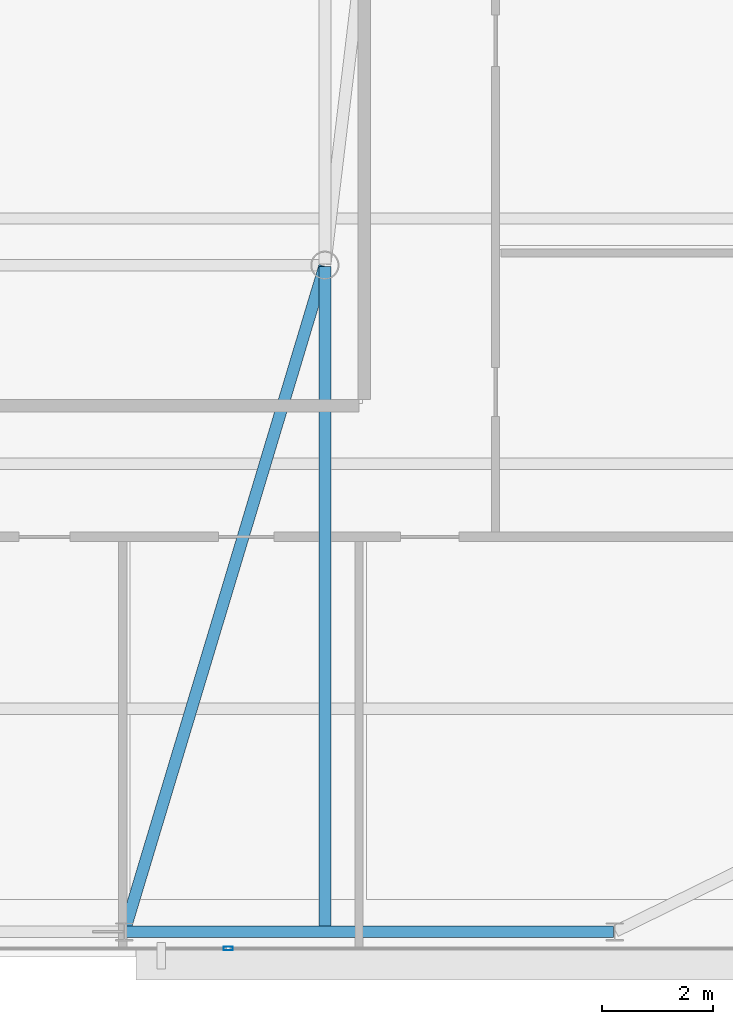
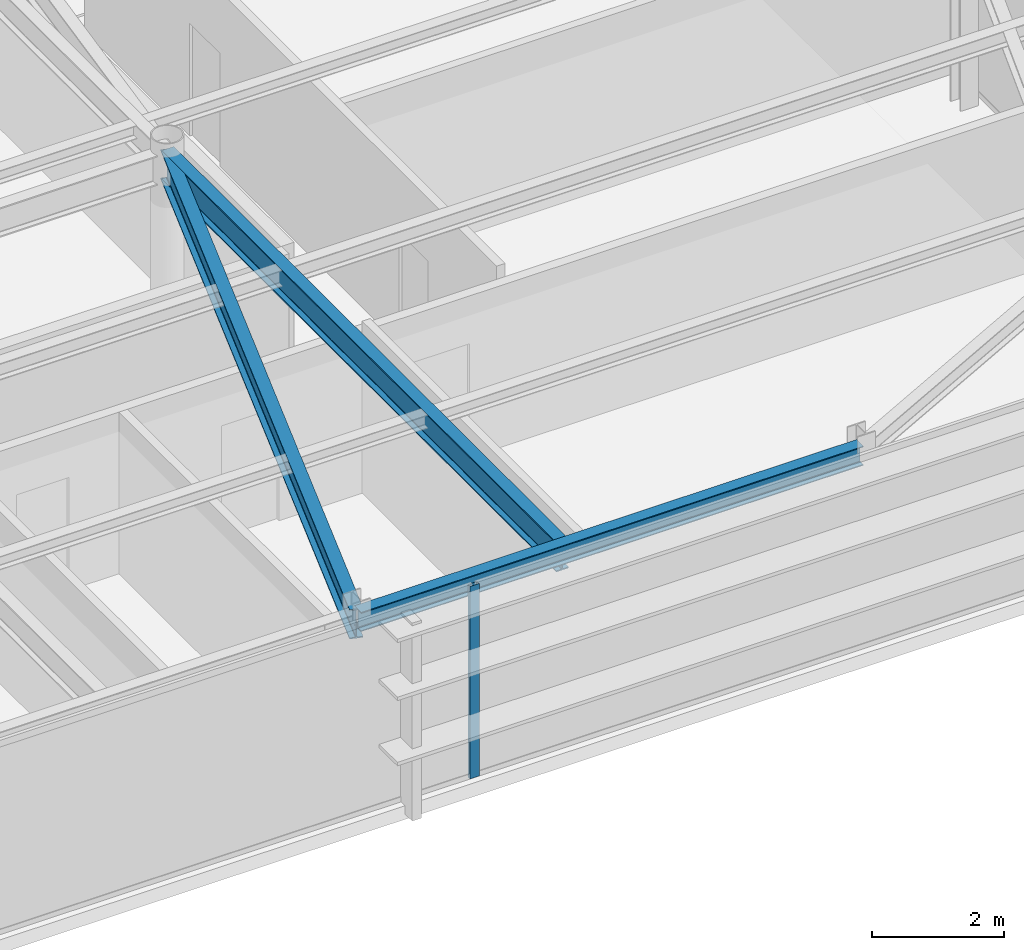
# One storey, part 8 of 24: 3 beams, 1 member, 1 element without a shape of its own.
"""IFC4 building model written with IfcOpenShell, lengths in metres."""

import ifcopenshell
import ifcopenshell.guid

model = None  # the IFC model being written
_history = None  # IfcOwnerHistory: only IFC2X3 demands one
_inside = {}  # id of a spatial element -> (the spatial element, [elements in it])
_under = {}  # id of a project, library or spatial element -> (it, [spatial elements below it])
_declared = {}  # id of a project -> (the project, [libraries it declares])
_typed = {}  # id of a type object -> (the type object, [elements of that type])
_made_of = {}  # id of a material, layer set ... -> (it, [elements and type objects made of it])


def new_model(schema):
    """Start an empty IFC model of exactly this schema.

    Asked for "IFC4X3", IfcOpenShell would pick the latest addendum, in which some entities
    have other attributes; the version numbers below select the first issue.
    IFC2X3 requires an IfcOwnerHistory on every rooted entity: one is made here for all.
    """
    global model, _history
    if schema == "IFC4X3":
        model = ifcopenshell.file(schema_version=(4, 3, 0, 0))
    else:
        model = ifcopenshell.file(schema=schema)
    _inside.clear()
    _under.clear()
    _declared.clear()
    _typed.clear()
    _made_of.clear()
    _history = None
    if model.schema == "IFC2X3":
        org = make("IfcOrganization", Name="unknown")
        user = make(
            "IfcPersonAndOrganization",
            ThePerson=make("IfcPerson", FamilyName="unknown"),
            TheOrganization=org,
        )
        app = make(
            "IfcApplication",
            ApplicationDeveloper=org,
            Version="unknown",
            ApplicationFullName="unknown",
            ApplicationIdentifier="unknown",
        )
        _history = make(
            "IfcOwnerHistory",
            OwningUser=user,
            OwningApplication=app,
            ChangeAction="ADDED",
            CreationDate=0,
        )
    return model


def make(cls, **values):
    """One entity of the class cls with the attributes given. An attribute that is None is left unset."""
    return model.create_entity(
        cls, **{name: value for name, value in values.items() if value is not None}
    )


def rooted(cls, **values):
    """An entity with a GlobalId (a new one), such as an element, a storey or a relation."""
    return make(cls, GlobalId=ifcopenshell.guid.new(), OwnerHistory=_history, **values)


def si_unit(unit_type, name, prefix=None):
    """IfcSIUnit, for example si_unit("LENGTHUNIT", "METRE", prefix="MILLI")."""
    return make("IfcSIUnit", UnitType=unit_type, Prefix=prefix, Name=name)


def assignment(units):
    """IfcUnitAssignment: the units of a project."""
    return None if units is None else make("IfcUnitAssignment", Units=units)


def point(xyz):
    """IfcCartesianPoint."""
    return None if xyz is None else make("IfcCartesianPoint", Coordinates=xyz)


def direction(xyz):
    """IfcDirection."""
    return None if xyz is None else make("IfcDirection", DirectionRatios=xyz)


def frame(location, z_axis=None, x_axis=None):
    """IfcAxis2Placement3D, a coordinate frame: its origin and axes. An axis left out is left unset."""
    return make(
        "IfcAxis2Placement3D",
        Location=point(location),
        Axis=direction(z_axis),
        RefDirection=direction(x_axis),
    )


def frame_2d(location, x_axis=None):
    """IfcAxis2Placement2D, a coordinate frame in the plane: its origin and x axis."""
    return make(
        "IfcAxis2Placement2D", Location=point(location), RefDirection=direction(x_axis)
    )


def origin():
    """The frame at (0, 0, 0) with its axes left unset."""
    return frame((0.0, 0.0, 0.0))


def origin_2d():
    """The frame at (0, 0) in the plane with its x axis left unset."""
    return frame_2d((0.0, 0.0))


def place(relative_to, where):
    """IfcLocalPlacement: puts the frame where relative to a parent placement (None: the world)."""
    return make(
        "IfcLocalPlacement", PlacementRelTo=relative_to, RelativePlacement=where
    )


def context(
    kind, dimensions, precision=None, world=None, true_north=None, identifier=None
):
    """IfcGeometricRepresentationContext, for example the 3D "Model" context."""
    return make(
        "IfcGeometricRepresentationContext",
        ContextIdentifier=identifier,
        ContextType=kind,
        CoordinateSpaceDimension=dimensions,
        Precision=precision,
        WorldCoordinateSystem=world,
        TrueNorth=true_north,
    )


def subcontext(parent, identifier, kind, view, scale=None):
    """IfcGeometricRepresentationSubContext, for example "Body" below "Model"."""
    return make(
        "IfcGeometricRepresentationSubContext",
        ContextIdentifier=identifier,
        ContextType=kind,
        ParentContext=parent,
        TargetScale=scale,
        TargetView=view,
    )


def project(units=None, contexts=None):
    """IfcProject with its units and contexts."""
    return rooted(
        "IfcProject",
        Name="project",
        RepresentationContexts=contexts,
        UnitsInContext=assignment(units),
    )


def spatial(cls, under=None, at=None, **own):
    """A site, building, storey or space (cls), placed at a placement, below another one or the project."""
    s = rooted(cls, ObjectPlacement=at, **own)
    if under is not None:
        _under.setdefault(under.id(), (under, []))[1].append(s)
    return s


def profile(cls, at=None, kind="AREA", **sizes):
    """A parametric profile (cls). Its sizes go by their IFC names, for example OverallWidth=200.0."""
    return make(cls, ProfileType=kind, Position=at, **sizes)


def hollow_rectangle(**sizes):
    """IfcRectangleHollowProfileDef."""
    return profile("IfcRectangleHollowProfileDef", **sizes)


def i_section(**sizes):
    """IfcIShapeProfileDef."""
    return profile("IfcIShapeProfileDef", **sizes)


def extrude(swept, where, along, depth):
    """IfcExtrudedAreaSolid: the profile swept, set in the frame where, extruded along a direction by depth."""
    return make(
        "IfcExtrudedAreaSolid",
        SweptArea=swept,
        Position=where,
        ExtrudedDirection=direction(along),
        Depth=depth,
    )


def shape(context_of_items, identifier, shape_type, items):
    """IfcShapeRepresentation: the items that make up one representation, for example the "Body"."""
    return make(
        "IfcShapeRepresentation",
        ContextOfItems=context_of_items,
        RepresentationIdentifier=identifier,
        RepresentationType=shape_type,
        Items=items,
    )


def source(mapping_origin, context_of_items, identifier, shape_type, items):
    """IfcRepresentationMap: a shape defined once, which mapped items show again and again."""
    return make(
        "IfcRepresentationMap",
        MappingOrigin=mapping_origin,
        MappedRepresentation=shape(context_of_items, identifier, shape_type, items),
    )


def transform(
    local_origin,
    x_axis=None,
    y_axis=None,
    z_axis=None,
    scale=None,
    scale2=None,
    scale3=None,
    uniform=True,
):
    """IfcCartesianTransformationOperator3D, or its non-uniform kind. x_axis, y_axis, z_axis: its Axis1, 2, 3."""
    if uniform:
        return make(
            "IfcCartesianTransformationOperator3D",
            Axis1=direction(x_axis),
            Axis2=direction(y_axis),
            LocalOrigin=point(local_origin),
            Scale=scale,
            Axis3=direction(z_axis),
        )
    return make(
        "IfcCartesianTransformationOperator3DnonUniform",
        Axis1=direction(x_axis),
        Axis2=direction(y_axis),
        LocalOrigin=point(local_origin),
        Scale=scale,
        Axis3=direction(z_axis),
        Scale2=scale2,
        Scale3=scale3,
    )


def mapped(mapping_source, mapping_target):
    """IfcMappedItem: shows the shape of a source again, moved by a transform."""
    return make(
        "IfcMappedItem", MappingSource=mapping_source, MappingTarget=mapping_target
    )


def material(Name=None, Category=None):
    """IfcMaterial."""
    return make("IfcMaterial", Name=Name, Category=Category)


def layer(
    of_material, thickness, ventilated=None, Name=None, Category=None, Priority=None
):
    """IfcMaterialLayer: one layer of a wall or slab, of a material (None: an air gap)."""
    return make(
        "IfcMaterialLayer",
        Material=of_material,
        LayerThickness=thickness,
        IsVentilated=ventilated,
        Name=Name,
        Category=Category,
        Priority=Priority,
    )


def layer_set(layers, Name=None):
    """IfcMaterialLayerSet."""
    return make("IfcMaterialLayerSet", MaterialLayers=layers, LayerSetName=Name)


def material_profile(
    of_material, cross_section, Name=None, Category=None, Priority=None
):
    """IfcMaterialProfile: a cross section and its material."""
    return make(
        "IfcMaterialProfile",
        Name=Name,
        Material=of_material,
        Profile=cross_section,
        Priority=Priority,
        Category=Category,
    )


def profile_set(profiles, Name=None, composite=None):
    """IfcMaterialProfileSet."""
    return make(
        "IfcMaterialProfileSet",
        Name=Name,
        MaterialProfiles=profiles,
        CompositeProfile=composite,
    )


def made_of(thing, what):
    """Note that an element or type object is made of a material, layer set ...; save() writes the relation."""
    if what is not None:
        _made_of.setdefault(what.id(), (what, []))[1].append(thing)
    return thing


def type_object(cls, material=None, **own):
    """A type object (cls), such as IfcWallType, which elements share."""
    return made_of(rooted(cls, **own), material)


def type_shapes(of_type, sources):
    """Give a type object the sources (RepresentationMaps) that its elements show as mapped items."""
    of_type.RepresentationMaps = sources


def element(
    cls,
    number,
    at=None,
    inside=None,
    cuts=None,
    type_object=None,
    material=None,
    context=None,
    identifier="Body",
    shape_type=None,
    held_by="IfcProductDefinitionShape",
    body=None,
    shapes=None,
    **own,
):
    """One element of the class cls, such as IfcWall. Its Tag is "e" and its number.

    at: its placement. inside: the storey or other place that contains it. cuts: it is an
    opening in that element (IfcRelVoidsElement). A single representation is given by context,
    identifier, shape_type and body (its items); several are given by shapes. held_by: the class
    of the entity that holds the representations. save() writes the other relations.
    """
    e = rooted(cls, Tag="e%d" % number, ObjectPlacement=at, **own)
    if body is not None:
        shapes = [shape(context, identifier, shape_type, body)]
    if shapes is not None:
        e.Representation = make(held_by, Representations=shapes)
    if inside is not None:
        _inside.setdefault(inside.id(), (inside, []))[1].append(e)
    if cuts is not None:
        rooted(
            "IfcRelVoidsElement", RelatingBuildingElement=cuts, RelatedOpeningElement=e
        )
    if type_object is not None:
        _typed.setdefault(type_object.id(), (type_object, []))[1].append(e)
    return made_of(e, material)


def aggregate(whole, parts):
    """IfcRelAggregates: a whole, such as a stair, and the parts it consists of."""
    return rooted("IfcRelAggregates", RelatingObject=whole, RelatedObjects=parts)


def save(model, path):
    """Write the relations noted so far, then the file.

    IfcRelAggregates (storeys below a building ...), IfcRelContainedInSpatialStructure (elements
    in a storey), IfcRelDefinesByType, IfcRelAssociatesMaterial and IfcRelDeclares: one each for
    every whole, place, type object, material and project.
    """
    for whole, parts in _under.values():
        aggregate(whole, parts)
    for where, things in _inside.values():
        rooted(
            "IfcRelContainedInSpatialStructure",
            RelatedElements=things,
            RelatingStructure=where,
        )
    for kind, things in _typed.values():
        rooted("IfcRelDefinesByType", RelatedObjects=things, RelatingType=kind)
    for what, things in _made_of.values():
        rooted("IfcRelAssociatesMaterial", RelatedObjects=things, RelatingMaterial=what)
    for by, libraries in _declared.values():
        rooted("IfcRelDeclares", RelatingContext=by, RelatedDefinitions=libraries)
    model.write(path)


model = new_model("IFC4")

# Units and contexts
model_context = context("Model", 3, precision=1e-05, world=origin(), true_north=direction((0.0, 1.0)))
body_context = subcontext(model_context, "Body", "Model", "MODEL_VIEW")
ifc_project = project(units=[si_unit("LENGTHUNIT", "METRE"), si_unit("AREAUNIT", "SQUARE_METRE"), si_unit("VOLUMEUNIT", "CUBIC_METRE"), si_unit("PLANEANGLEUNIT", "RADIAN"), si_unit("MASSUNIT", "GRAM", prefix="KILO")], contexts=[model_context])

# Site, building, storey
site_placement = place(None, origin())
site = spatial("IfcSite", under=ifc_project, at=site_placement, CompositionType="ELEMENT")
building_placement = place(site_placement, origin())
building = spatial("IfcBuilding", under=site, at=building_placement, Name="Varnel Quay Broadcast Tower", CompositionType="ELEMENT")
storey_placement = place(building_placement, frame((0.0, 0.0, 292.60009765625)))
storey = spatial("IfcBuildingStorey", under=building, at=storey_placement, Name="L73", CompositionType="ELEMENT", Elevation=292.60009765625)

# Beams
ifc_material_1 = material(Name="Structural Steel CSA G40.21 350W", Category="steel")
ifc_material_profile_1 = material_profile(ifc_material_1, i_section(OverallWidth=0.205078125, OverallDepth=0.35400390625, WebThickness=0.009521484375, FlangeThickness=0.016845703125, FilletRadius=0.012939453125, at=origin_2d()), Name="W360X79")
ifc_profile_set_1 = profile_set([ifc_material_profile_1], Name="Structural Steel CSA G40.21 350W")
beam_type_1 = type_object("IfcBeamType", Name="Beam_W360X79", PredefinedType="SPANDREL", material=ifc_profile_set_1)
shared_shape_1 = source(origin(), body_context, "Body", "SweptSolid", [
    extrude(i_section(OverallWidth=0.205078125, OverallDepth=0.35400390625, WebThickness=0.009521484375, FlangeThickness=0.016845703125, FilletRadius=0.012939453125, at=origin_2d()), origin(), (0.0, 0.0, 1.0), 8.760009765625),
])
type_shapes(beam_type_1, [shared_shape_1])
beam_1_placement = place(storey_placement, frame((38.419921875, 13.64990234375, 3.372802734375), z_axis=(1.0, 0.0, 0.0), x_axis=(0.0, 1.0, 0.0)))
element("IfcBeam", 1, at=beam_1_placement, inside=storey, type_object=beam_type_1, Name="L73 South Spandrel TC-S3-TC-S4", PredefinedType="SPANDREL", context=body_context, shape_type="MappedRepresentation", body=[
    mapped(shared_shape_1, transform((0.0, 0.0, 0.0), x_axis=(1.0, 0.0, 0.0), y_axis=(0.0, 1.0, 0.0), z_axis=(0.0, 0.0, 1.0), scale=1.0)),
])
ifc_material_profile_2 = material_profile(ifc_material_1, i_section(OverallWidth=0.2119140625, OverallDepth=0.5439453125, WebThickness=0.01318359375, FlangeThickness=0.021240234375, FilletRadius=0.013916015625, at=origin_2d()), Name="W530X123")
ifc_profile_set_2 = profile_set([ifc_material_profile_2], Name="Structural Steel CSA G40.21 350W")
beam_type_2 = type_object("IfcBeamType", Name="Girder_W530X123", PredefinedType="BEAM", material=ifc_profile_set_2)
shared_shape_2 = source(origin(), body_context, "Body", "SweptSolid", [
    extrude(i_section(OverallWidth=0.2119140625, OverallDepth=0.5439453125, WebThickness=0.01318359375, FlangeThickness=0.021240234375, FilletRadius=0.013916015625, at=origin_2d()), origin(), (0.0, 0.0, 1.0), 12.449951171875),
])
beam_2_placement = place(storey_placement, frame((38.40576171875, 13.669189453125, 3.27783203125), z_axis=(0.28822390679, 0.957563042078, 0.0), x_axis=(-0.957563042078, 0.28822390679, 0.0)))
element("IfcBeam", 2, at=beam_2_placement, inside=storey, type_object=beam_type_2, Name="L73 Primary Girder TC-S3-IC-02", PredefinedType="BEAM", context=body_context, shape_type="MappedRepresentation", body=[
    mapped(shared_shape_2, transform((0.0, 0.0, 0.0), x_axis=(1.0, 0.0, 0.0), y_axis=(0.0, 1.0, 0.0), z_axis=(0.0, 0.0, 1.0), scale=1.0)),
])
shared_shape_3 = source(origin(), body_context, "Body", "SweptSolid", [
    extrude(i_section(OverallWidth=0.2119140625, OverallDepth=0.5439453125, WebThickness=0.01318359375, FlangeThickness=0.021240234375, FilletRadius=0.013916015625, at=origin_2d()), origin(), (0.0, 0.0, 1.0), 11.920166015625),
])
type_shapes(beam_type_2, [shared_shape_2, shared_shape_3])
beam_3_placement = place(storey_placement, frame((42.0, 13.669921875, 3.27783203125), z_axis=(0.0, 1.0, 0.0), x_axis=(-1.0, 0.0, 0.0)))
element("IfcBeam", 3, at=beam_3_placement, inside=storey, type_object=beam_type_2, Name="L73 N-S Joist Header IC-02S", PredefinedType="BEAM", context=body_context, shape_type="MappedRepresentation", body=[
    mapped(shared_shape_3, transform((0.0, 0.0, 0.0), x_axis=(1.0, 0.0, 0.0), y_axis=(0.0, 1.0, 0.0), z_axis=(0.0, 0.0, 1.0), scale=1.0)),
])

# Curtain wall, member
ifc_material_2 = material(Name="Anodised Bronze Aluminium 6063-T6", Category="aluminium")
ifc_layer = layer(ifc_material_2, 0.18994140625, Name="Anodised Bronze Aluminium 6063-T6")
ifc_layer_set = layer_set([ifc_layer], Name="Anodised Bronze Aluminium 6063-T6")
curtain_wall_type = type_object("IfcCurtainWallType", Name="CW_UpperTower", PredefinedType="NOTDEFINED", material=ifc_layer_set)
curtain_wall_placement = place(storey_placement, origin())
curtain_wall = element("IfcCurtainWall", 4, at=curtain_wall_placement, inside=storey, type_object=curtain_wall_type, Name="L73 South Unitised Curtain Wall 1", PredefinedType="NOTDEFINED")
ifc_material_profile_3 = material_profile(ifc_material_2, hollow_rectangle(XDim=0.06494140625, YDim=0.1650390625, WallThickness=0.00341796875, at=origin_2d()), Name="ALU65X165X3.5")
ifc_profile_set_3 = profile_set([ifc_material_profile_3], Name="Anodised Bronze Aluminium 6063-T6")
member_type = type_object("IfcMemberType", Name="Mull_CWS-03", PredefinedType="MULLION", material=ifc_profile_set_3)
shared_shape_4 = source(origin(), body_context, "Body", "SweptSolid", [
    extrude(hollow_rectangle(XDim=0.06494140625, YDim=0.1650390625, WallThickness=0.00341796875, at=origin_2d()), origin(), (0.0, 0.0, 1.0), 3.5498046875),
])
type_shapes(member_type, [shared_shape_4])
member_placement = place(storey_placement, frame((40.2666015625, 13.35009765625, 0.0), z_axis=(0.0, 0.0, 1.0), x_axis=(0.0, 1.0, 0.0)))
member = element("IfcMember", 5, at=member_placement, type_object=member_type, Name="CWS-03 mullion 3", PredefinedType="MULLION", context=body_context, shape_type="MappedRepresentation", body=[
    mapped(shared_shape_4, transform((0.0, 0.0, 0.0), x_axis=(1.0, 0.0, 0.0), y_axis=(0.0, 1.0, 0.0), z_axis=(0.0, 0.0, 1.0), scale=1.0)),
])
aggregate(curtain_wall, [member])

save(model, "model.ifc")
